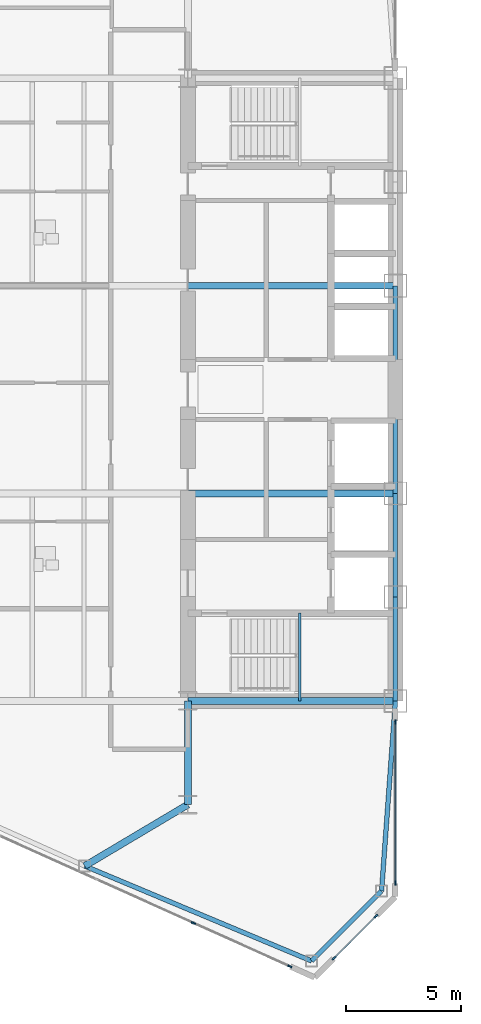
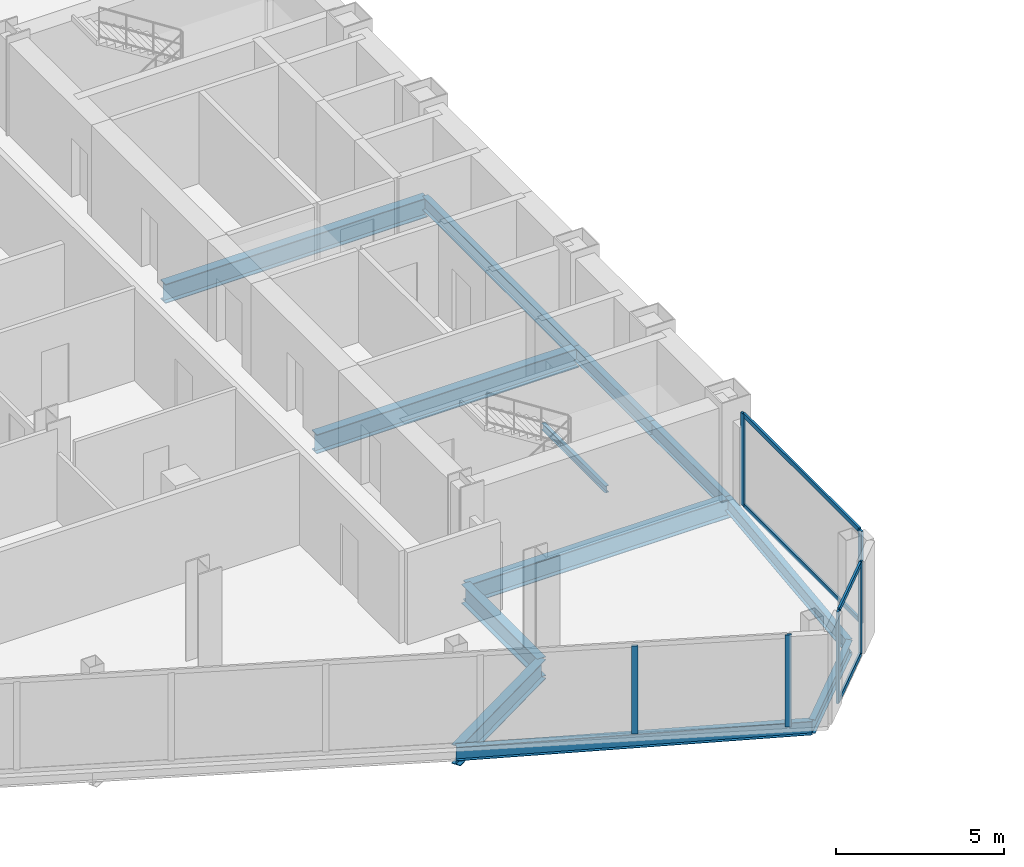
# One storey, part 6 of 27: 12 beams, 10 members, 3 elements without a shape of their own.
"""IFC4 building model written with IfcOpenShell, lengths in metres."""

import ifcopenshell
import ifcopenshell.guid

model = None  # the IFC model being written
_history = None  # IfcOwnerHistory: only IFC2X3 demands one
_inside = {}  # id of a spatial element -> (the spatial element, [elements in it])
_under = {}  # id of a project, library or spatial element -> (it, [spatial elements below it])
_declared = {}  # id of a project -> (the project, [libraries it declares])
_typed = {}  # id of a type object -> (the type object, [elements of that type])
_made_of = {}  # id of a material, layer set ... -> (it, [elements and type objects made of it])


def new_model(schema):
    """Start an empty IFC model of exactly this schema.

    Asked for "IFC4X3", IfcOpenShell would pick the latest addendum, in which some entities
    have other attributes; the version numbers below select the first issue.
    IFC2X3 requires an IfcOwnerHistory on every rooted entity: one is made here for all.
    """
    global model, _history
    if schema == "IFC4X3":
        model = ifcopenshell.file(schema_version=(4, 3, 0, 0))
    else:
        model = ifcopenshell.file(schema=schema)
    _inside.clear()
    _under.clear()
    _declared.clear()
    _typed.clear()
    _made_of.clear()
    _history = None
    if model.schema == "IFC2X3":
        org = make("IfcOrganization", Name="unknown")
        user = make(
            "IfcPersonAndOrganization",
            ThePerson=make("IfcPerson", FamilyName="unknown"),
            TheOrganization=org,
        )
        app = make(
            "IfcApplication",
            ApplicationDeveloper=org,
            Version="unknown",
            ApplicationFullName="unknown",
            ApplicationIdentifier="unknown",
        )
        _history = make(
            "IfcOwnerHistory",
            OwningUser=user,
            OwningApplication=app,
            ChangeAction="ADDED",
            CreationDate=0,
        )
    return model


def make(cls, **values):
    """One entity of the class cls with the attributes given. An attribute that is None is left unset."""
    return model.create_entity(
        cls, **{name: value for name, value in values.items() if value is not None}
    )


def rooted(cls, **values):
    """An entity with a GlobalId (a new one), such as an element, a storey or a relation."""
    return make(cls, GlobalId=ifcopenshell.guid.new(), OwnerHistory=_history, **values)


def si_unit(unit_type, name, prefix=None):
    """IfcSIUnit, for example si_unit("LENGTHUNIT", "METRE", prefix="MILLI")."""
    return make("IfcSIUnit", UnitType=unit_type, Prefix=prefix, Name=name)


def assignment(units):
    """IfcUnitAssignment: the units of a project."""
    return None if units is None else make("IfcUnitAssignment", Units=units)


def point(xyz):
    """IfcCartesianPoint."""
    return None if xyz is None else make("IfcCartesianPoint", Coordinates=xyz)


def direction(xyz):
    """IfcDirection."""
    return None if xyz is None else make("IfcDirection", DirectionRatios=xyz)


def frame(location, z_axis=None, x_axis=None):
    """IfcAxis2Placement3D, a coordinate frame: its origin and axes. An axis left out is left unset."""
    return make(
        "IfcAxis2Placement3D",
        Location=point(location),
        Axis=direction(z_axis),
        RefDirection=direction(x_axis),
    )


def frame_2d(location, x_axis=None):
    """IfcAxis2Placement2D, a coordinate frame in the plane: its origin and x axis."""
    return make(
        "IfcAxis2Placement2D", Location=point(location), RefDirection=direction(x_axis)
    )


def origin():
    """The frame at (0, 0, 0) with its axes left unset."""
    return frame((0.0, 0.0, 0.0))


def origin_2d():
    """The frame at (0, 0) in the plane with its x axis left unset."""
    return frame_2d((0.0, 0.0))


def place(relative_to, where):
    """IfcLocalPlacement: puts the frame where relative to a parent placement (None: the world)."""
    return make(
        "IfcLocalPlacement", PlacementRelTo=relative_to, RelativePlacement=where
    )


def context(
    kind, dimensions, precision=None, world=None, true_north=None, identifier=None
):
    """IfcGeometricRepresentationContext, for example the 3D "Model" context."""
    return make(
        "IfcGeometricRepresentationContext",
        ContextIdentifier=identifier,
        ContextType=kind,
        CoordinateSpaceDimension=dimensions,
        Precision=precision,
        WorldCoordinateSystem=world,
        TrueNorth=true_north,
    )


def subcontext(parent, identifier, kind, view, scale=None):
    """IfcGeometricRepresentationSubContext, for example "Body" below "Model"."""
    return make(
        "IfcGeometricRepresentationSubContext",
        ContextIdentifier=identifier,
        ContextType=kind,
        ParentContext=parent,
        TargetScale=scale,
        TargetView=view,
    )


def project(units=None, contexts=None):
    """IfcProject with its units and contexts."""
    return rooted(
        "IfcProject",
        Name="project",
        RepresentationContexts=contexts,
        UnitsInContext=assignment(units),
    )


def spatial(cls, under=None, at=None, **own):
    """A site, building, storey or space (cls), placed at a placement, below another one or the project."""
    s = rooted(cls, ObjectPlacement=at, **own)
    if under is not None:
        _under.setdefault(under.id(), (under, []))[1].append(s)
    return s


def profile(cls, at=None, kind="AREA", **sizes):
    """A parametric profile (cls). Its sizes go by their IFC names, for example OverallWidth=200.0."""
    return make(cls, ProfileType=kind, Position=at, **sizes)


def rectangle(**sizes):
    """IfcRectangleProfileDef."""
    return profile("IfcRectangleProfileDef", **sizes)


def i_section(**sizes):
    """IfcIShapeProfileDef."""
    return profile("IfcIShapeProfileDef", **sizes)


def extrude(swept, where, along, depth):
    """IfcExtrudedAreaSolid: the profile swept, set in the frame where, extruded along a direction by depth."""
    return make(
        "IfcExtrudedAreaSolid",
        SweptArea=swept,
        Position=where,
        ExtrudedDirection=direction(along),
        Depth=depth,
    )


def shape(context_of_items, identifier, shape_type, items):
    """IfcShapeRepresentation: the items that make up one representation, for example the "Body"."""
    return make(
        "IfcShapeRepresentation",
        ContextOfItems=context_of_items,
        RepresentationIdentifier=identifier,
        RepresentationType=shape_type,
        Items=items,
    )


def source(mapping_origin, context_of_items, identifier, shape_type, items):
    """IfcRepresentationMap: a shape defined once, which mapped items show again and again."""
    return make(
        "IfcRepresentationMap",
        MappingOrigin=mapping_origin,
        MappedRepresentation=shape(context_of_items, identifier, shape_type, items),
    )


def transform(
    local_origin,
    x_axis=None,
    y_axis=None,
    z_axis=None,
    scale=None,
    scale2=None,
    scale3=None,
    uniform=True,
):
    """IfcCartesianTransformationOperator3D, or its non-uniform kind. x_axis, y_axis, z_axis: its Axis1, 2, 3."""
    if uniform:
        return make(
            "IfcCartesianTransformationOperator3D",
            Axis1=direction(x_axis),
            Axis2=direction(y_axis),
            LocalOrigin=point(local_origin),
            Scale=scale,
            Axis3=direction(z_axis),
        )
    return make(
        "IfcCartesianTransformationOperator3DnonUniform",
        Axis1=direction(x_axis),
        Axis2=direction(y_axis),
        LocalOrigin=point(local_origin),
        Scale=scale,
        Axis3=direction(z_axis),
        Scale2=scale2,
        Scale3=scale3,
    )


def mapped(mapping_source, mapping_target):
    """IfcMappedItem: shows the shape of a source again, moved by a transform."""
    return make(
        "IfcMappedItem", MappingSource=mapping_source, MappingTarget=mapping_target
    )


def material(Name=None, Category=None):
    """IfcMaterial."""
    return make("IfcMaterial", Name=Name, Category=Category)


def layer(
    of_material, thickness, ventilated=None, Name=None, Category=None, Priority=None
):
    """IfcMaterialLayer: one layer of a wall or slab, of a material (None: an air gap)."""
    return make(
        "IfcMaterialLayer",
        Material=of_material,
        LayerThickness=thickness,
        IsVentilated=ventilated,
        Name=Name,
        Category=Category,
        Priority=Priority,
    )


def layer_set(layers, Name=None):
    """IfcMaterialLayerSet."""
    return make("IfcMaterialLayerSet", MaterialLayers=layers, LayerSetName=Name)


def material_profile(
    of_material, cross_section, Name=None, Category=None, Priority=None
):
    """IfcMaterialProfile: a cross section and its material."""
    return make(
        "IfcMaterialProfile",
        Name=Name,
        Material=of_material,
        Profile=cross_section,
        Priority=Priority,
        Category=Category,
    )


def profile_set(profiles, Name=None, composite=None):
    """IfcMaterialProfileSet."""
    return make(
        "IfcMaterialProfileSet",
        Name=Name,
        MaterialProfiles=profiles,
        CompositeProfile=composite,
    )


def made_of(thing, what):
    """Note that an element or type object is made of a material, layer set ...; save() writes the relation."""
    if what is not None:
        _made_of.setdefault(what.id(), (what, []))[1].append(thing)
    return thing


def type_object(cls, material=None, **own):
    """A type object (cls), such as IfcWallType, which elements share."""
    return made_of(rooted(cls, **own), material)


def type_shapes(of_type, sources):
    """Give a type object the sources (RepresentationMaps) that its elements show as mapped items."""
    of_type.RepresentationMaps = sources


def element(
    cls,
    number,
    at=None,
    inside=None,
    cuts=None,
    type_object=None,
    material=None,
    context=None,
    identifier="Body",
    shape_type=None,
    held_by="IfcProductDefinitionShape",
    body=None,
    shapes=None,
    **own,
):
    """One element of the class cls, such as IfcWall. Its Tag is "e" and its number.

    at: its placement. inside: the storey or other place that contains it. cuts: it is an
    opening in that element (IfcRelVoidsElement). A single representation is given by context,
    identifier, shape_type and body (its items); several are given by shapes. held_by: the class
    of the entity that holds the representations. save() writes the other relations.
    """
    e = rooted(cls, Tag="e%d" % number, ObjectPlacement=at, **own)
    if body is not None:
        shapes = [shape(context, identifier, shape_type, body)]
    if shapes is not None:
        e.Representation = make(held_by, Representations=shapes)
    if inside is not None:
        _inside.setdefault(inside.id(), (inside, []))[1].append(e)
    if cuts is not None:
        rooted(
            "IfcRelVoidsElement", RelatingBuildingElement=cuts, RelatedOpeningElement=e
        )
    if type_object is not None:
        _typed.setdefault(type_object.id(), (type_object, []))[1].append(e)
    return made_of(e, material)


def aggregate(whole, parts):
    """IfcRelAggregates: a whole, such as a stair, and the parts it consists of."""
    return rooted("IfcRelAggregates", RelatingObject=whole, RelatedObjects=parts)


def save(model, path):
    """Write the relations noted so far, then the file.

    IfcRelAggregates (storeys below a building ...), IfcRelContainedInSpatialStructure (elements
    in a storey), IfcRelDefinesByType, IfcRelAssociatesMaterial and IfcRelDeclares: one each for
    every whole, place, type object, material and project.
    """
    for whole, parts in _under.values():
        aggregate(whole, parts)
    for where, things in _inside.values():
        rooted(
            "IfcRelContainedInSpatialStructure",
            RelatedElements=things,
            RelatingStructure=where,
        )
    for kind, things in _typed.values():
        rooted("IfcRelDefinesByType", RelatedObjects=things, RelatingType=kind)
    for what, things in _made_of.values():
        rooted("IfcRelAssociatesMaterial", RelatedObjects=things, RelatingMaterial=what)
    for by, libraries in _declared.values():
        rooted("IfcRelDeclares", RelatingContext=by, RelatedDefinitions=libraries)
    model.write(path)


model = new_model("IFC4")

# Units and contexts
model_context = context("Model", 3, precision=1e-05, world=origin(), true_north=direction((0.0, 1.0)))
body_context = subcontext(model_context, "Body", "Model", "MODEL_VIEW")
ifc_project = project(units=[si_unit("LENGTHUNIT", "METRE"), si_unit("AREAUNIT", "SQUARE_METRE"), si_unit("VOLUMEUNIT", "CUBIC_METRE"), si_unit("PLANEANGLEUNIT", "RADIAN"), si_unit("MASSUNIT", "GRAM", prefix="KILO")], contexts=[model_context])

# Site, building, storey
site_placement = place(None, origin())
site = spatial("IfcSite", under=ifc_project, at=site_placement, CompositionType="ELEMENT")
building_placement = place(site_placement, origin())
building = spatial("IfcBuilding", under=site, at=building_placement, Name="Seokmaru Belvedere", CompositionType="ELEMENT")
storey_placement = place(building_placement, frame((0.0, 0.0, 83.699951171875)))
storey = spatial("IfcBuildingStorey", under=building, at=storey_placement, Name="L22", CompositionType="ELEMENT", Elevation=83.699951171875)

# Beams
ifc_material_1 = material(Name="Steel SM355 (355 MPa)", Category="steel")
ifc_material_profile_1 = material_profile(ifc_material_1, i_section(OverallWidth=0.199951171875, OverallDepth=0.5, WebThickness=0.010009765625, FlangeThickness=0.01611328125, at=origin_2d()), Name="H-500x200x10x16")
ifc_profile_set_1 = profile_set([ifc_material_profile_1], Name="Steel SM355 (355 MPa)")
beam_type_1 = type_object("IfcBeamType", Name="Perimeter Spandrel Beam H-500", PredefinedType="SPANDREL", material=ifc_profile_set_1)
shared_shape_1 = source(origin(), body_context, "Body", "SweptSolid", [
    extrude(i_section(OverallWidth=0.199951171875, OverallDepth=0.5, WebThickness=0.010009765625, FlangeThickness=0.01611328125, at=origin_2d()), origin(), (0.0, 0.0, 1.0), 4.5),
])
for number, where, z_axis, x_axis, name in (
    (1, (-27.5, -13.5, -0.469970703125), (0.0, 1.0, 0.0), (-1.0, 0.0, 0.0), "L22 W Portal Spine Spandrel 1"),
    (2, (-27.5, -9.0, -0.469970703125), (0.0, 1.0, 0.0), (-1.0, 0.0, 0.0), "L22 W Portal Spine Spandrel 2"),
):
    element("IfcBeam", number, at=place(storey_placement, frame(where, z_axis=z_axis, x_axis=x_axis)), inside=storey, type_object=beam_type_1, Name=name, PredefinedType="SPANDREL", context=body_context, shape_type="MappedRepresentation", body=[
        mapped(shared_shape_1, transform((0.0, 0.0, 0.0), scale=1.0)),
    ])
shared_shape_2 = source(origin(), body_context, "Body", "SweptSolid", [
    extrude(i_section(OverallWidth=0.199951171875, OverallDepth=0.5, WebThickness=0.010009765625, FlangeThickness=0.01611328125, at=origin_2d()), origin(), (0.0, 0.0, 1.0), 9.0),
])
beam_1_placement = place(storey_placement, frame((-27.5, -4.5, -0.469970703125), z_axis=(0.0, 1.0, 0.0), x_axis=(-1.0, 0.0, 0.0)))
element("IfcBeam", 3, at=beam_1_placement, inside=storey, type_object=beam_type_1, Name="L22 W Portal Spine Spandrel 3", PredefinedType="SPANDREL", context=body_context, shape_type="MappedRepresentation", body=[
    mapped(shared_shape_2, transform((0.0, 0.0, 0.0), scale=1.0)),
])
ifc_material_profile_2 = material_profile(ifc_material_1, i_section(OverallWidth=0.300048828125, OverallDepth=0.699951171875, WebThickness=0.012939453125, FlangeThickness=0.02392578125, at=origin_2d()), Name="H-700x300x13x24")
ifc_profile_set_2 = profile_set([ifc_material_profile_2], Name="Steel SM355 (355 MPa)")
beam_type_2 = type_object("IfcBeamType", Name="Primary Floor Girder H-700", PredefinedType="BEAM", material=ifc_profile_set_2)
shared_shape_3 = source(origin(), body_context, "Body", "SweptSolid", [
    extrude(i_section(OverallWidth=0.300048828125, OverallDepth=0.699951171875, WebThickness=0.012939453125, FlangeThickness=0.02392578125, at=origin_2d()), origin(), (0.0, 0.0, 1.0), 4.5),
])
beam_2_placement = place(storey_placement, frame((-36.5, -18.0, -0.570068359375), z_axis=(0.0, 1.0, 0.0), x_axis=(-1.0, 0.0, 0.0)))
element("IfcBeam", 4, at=beam_2_placement, inside=storey, type_object=beam_type_2, Name="L22 W Core Shoulder Girder S", PredefinedType="BEAM", context=body_context, shape_type="MappedRepresentation", body=[
    mapped(shared_shape_3, transform((0.0, 0.0, 0.0), scale=1.0)),
])
shared_shape_4 = source(origin(), body_context, "Body", "SweptSolid", [
    extrude(i_section(OverallWidth=0.300048828125, OverallDepth=0.699951171875, WebThickness=0.012939453125, FlangeThickness=0.02392578125, at=origin_2d()), origin(), (0.0, 0.0, 1.0), 9.0),
])
for number, where, z_axis, x_axis, name in (
    (5, (-36.5, -13.5, -0.570068359375), (1.0, 0.0, 0.0), (0.0, 1.0, 0.0), "L22 W Core Tie Girder 1"),
    (6, (-36.5, -4.5, -0.570068359375), (1.0, 0.0, 0.0), (0.0, 1.0, 0.0), "L22 W Core Tie Girder 2"),
    (7, (-36.5, 4.5, -0.570068359375), (1.0, 0.0, 0.0), (0.0, 1.0, 0.0), "L22 W Core Tie Girder 3"),
):
    element("IfcBeam", number, at=place(storey_placement, frame(where, z_axis=z_axis, x_axis=x_axis)), inside=storey, type_object=beam_type_2, Name=name, PredefinedType="BEAM", context=body_context, shape_type="MappedRepresentation", body=[
        mapped(shared_shape_4, transform((0.0, 0.0, 0.0), scale=1.0)),
    ])
shared_shape_5 = source(origin(), body_context, "Body", "SweptSolid", [
    extrude(i_section(OverallWidth=0.199951171875, OverallDepth=0.5, WebThickness=0.010009765625, FlangeThickness=0.01611328125, at=origin_2d()), origin(), (0.0, 0.0, 1.0), 10.66943359375),
])
beam_3_placement = place(storey_placement, frame((-31.13134765625, -24.782958984375, -0.469970703125), z_axis=(-0.922375393128, 0.386294750355, 0.0), x_axis=(-0.386294750355, -0.922375393128, 0.0)))
element("IfcBeam", 8, at=beam_3_placement, inside=storey, type_object=beam_type_1, Name="L22 W Faceted Flank Spandrel S-1", PredefinedType="SPANDREL", context=body_context, shape_type="MappedRepresentation", body=[
    mapped(shared_shape_5, transform((0.0, 0.0, 0.0), scale=1.0)),
])
shared_shape_6 = source(origin(), body_context, "Body", "SweptSolid", [
    extrude(i_section(OverallWidth=0.199951171875, OverallDepth=0.5, WebThickness=0.010009765625, FlangeThickness=0.01611328125, at=origin_2d()), origin(), (0.0, 0.0, 1.0), 4.287109375),
])
beam_4_placement = place(storey_placement, frame((-31.13134765625, -24.782958984375, -0.469970703125), z_axis=(0.707078306132, 0.707135255094, 0.0), x_axis=(-0.707135255094, 0.707078306132, 0.0)))
element("IfcBeam", 9, at=beam_4_placement, inside=storey, type_object=beam_type_1, Name="L22 W Shoulder Chamfer Spandrel S", PredefinedType="SPANDREL", context=body_context, shape_type="MappedRepresentation", body=[
    mapped(shared_shape_6, transform((0.0, 0.0, 0.0), scale=1.0)),
])
shared_shape_7 = source(origin(), body_context, "Body", "SweptSolid", [
    extrude(i_section(OverallWidth=0.199951171875, OverallDepth=0.5, WebThickness=0.010009765625, FlangeThickness=0.01611328125, at=origin_2d()), origin(), (0.0, 0.0, 1.0), 8.273193359375),
])
type_shapes(beam_type_1, [shared_shape_1, shared_shape_2, shared_shape_5, shared_shape_6, shared_shape_7])
beam_5_placement = place(storey_placement, frame((-28.10009765625, -21.75146484375, -0.469970703125), z_axis=(0.072534628348, 0.99736589459, 0.0), x_axis=(-0.99736589459, 0.072534628348, 0.0)))
element("IfcBeam", 10, at=beam_5_placement, inside=storey, type_object=beam_type_1, Name="L22 W Shoulder Spine Spandrel S", PredefinedType="SPANDREL", context=body_context, shape_type="MappedRepresentation", body=[
    mapped(shared_shape_7, transform((0.0, 0.0, 0.0), scale=1.0)),
])
shared_shape_8 = source(origin(), body_context, "Body", "SweptSolid", [
    extrude(i_section(OverallWidth=0.300048828125, OverallDepth=0.699951171875, WebThickness=0.012939453125, FlangeThickness=0.02392578125, at=origin_2d()), origin(), (0.0, 0.0, 1.0), 5.20458984375),
])
type_shapes(beam_type_2, [shared_shape_3, shared_shape_4, shared_shape_8])
beam_6_placement = place(storey_placement, frame((-40.97265625, -20.661376953125, -0.570068359375), z_axis=(0.859370434188, 0.511353553662, 0.0), x_axis=(-0.511353553662, 0.859370434188, 0.0)))
element("IfcBeam", 11, at=beam_6_placement, inside=storey, type_object=beam_type_2, Name="L22 W Flank Radial Floor Girder S-1", PredefinedType="BEAM", context=body_context, shape_type="MappedRepresentation", body=[
    mapped(shared_shape_8, transform((0.0, 0.0, 0.0), scale=1.0)),
])

# Curtain wall, members
ifc_material_2 = material(Name="Bronze Triple Insulating Glass", Category="glass")
ifc_layer = layer(ifc_material_2, 0.195068359375)
ifc_layer_set = layer_set([ifc_layer], Name="Bronze Triple Insulating Glass")
curtain_wall_type = type_object("IfcCurtainWallType", Name="Lower-Mid Tapered Curtain Wall System CW-3", PredefinedType="NOTDEFINED", material=ifc_layer_set)
curtain_wall_1_placement = place(storey_placement, origin())
curtain_wall_1 = element("IfcCurtainWall", 12, at=curtain_wall_1_placement, inside=storey, type_object=curtain_wall_type, Name="L22 Curtain Wall WSP_1", PredefinedType="NOTDEFINED")
ifc_material_3 = material(Name="Anodised Bronze Aluminium", Category="aluminium")
ifc_material_profile_3 = material_profile(ifc_material_3, rectangle(XDim=0.070068359375, YDim=0.1650390625, at=origin_2d()), Name="CW-T-70x165")
ifc_profile_set_3 = profile_set([ifc_material_profile_3], Name="Anodised Bronze Aluminium")
member_type_1 = type_object("IfcMemberType", Name="Bronze Unitised Transom 70x165", PredefinedType="USERDEFINED", material=ifc_profile_set_3)
shared_shape_9 = source(origin(), body_context, "Body", "SweptSolid", [
    extrude(rectangle(XDim=0.070068359375, YDim=0.1650390625, at=origin_2d()), origin(), (0.0, 0.0, 1.0), 6.91015625),
])
member_1_placement = place(storey_placement, frame((-27.5, -21.360107421875, 0.03515625), z_axis=(0.0, 1.0, 0.0), x_axis=(-1.0, 0.0, 0.0)))
member_1 = element("IfcMember", 13, at=member_1_placement, type_object=member_type_1, Name="CW:L22:WSP_1 Continuous Transom 1", ObjectType="TRANSOM", PredefinedType="USERDEFINED", context=body_context, shape_type="MappedRepresentation", body=[
    mapped(shared_shape_9, transform((0.0, 0.0, 0.0), scale=1.0)),
])
member_2_placement = place(storey_placement, frame((-27.5, -21.360107421875, 3.304931640625), z_axis=(0.0, 1.0, 0.0), x_axis=(-1.0, 0.0, 0.0)))
member_2 = element("IfcMember", 14, at=member_2_placement, type_object=member_type_1, Name="CW:L22:WSP_1 Continuous Transom 2", ObjectType="TRANSOM", PredefinedType="USERDEFINED", context=body_context, shape_type="MappedRepresentation", body=[
    mapped(shared_shape_9, transform((0.0, 0.0, 0.0), scale=1.0)),
])

curtain_wall_2_placement = place(storey_placement, origin())
curtain_wall_2 = element("IfcCurtainWall", 15, at=curtain_wall_2_placement, inside=storey, type_object=curtain_wall_type, Name="L22 Curtain Wall WF6", PredefinedType="NOTDEFINED")
shared_shape_10 = source(origin(), body_context, "Body", "SweptSolid", [
    extrude(rectangle(XDim=0.070068359375, YDim=0.1650390625, at=origin_2d()), origin(), (0.0, 0.0, 1.0), 2.509521484375),
])
type_shapes(member_type_1, [shared_shape_9, shared_shape_10])
member_3_placement = place(storey_placement, frame((-30.13720703125, -24.63720703125, 0.03515625), z_axis=(0.707106781187, 0.707106781187, 0.0), x_axis=(-0.707106781187, 0.707106781187, 0.0)))
member_3 = element("IfcMember", 16, at=member_3_placement, type_object=member_type_1, Name="CW:L22:WF6 Continuous Transom 1", ObjectType="TRANSOM", PredefinedType="USERDEFINED", context=body_context, shape_type="MappedRepresentation", body=[
    mapped(shared_shape_10, transform((0.0, 0.0, 0.0), scale=1.0)),
])
member_4_placement = place(storey_placement, frame((-30.13720703125, -24.63720703125, 3.304931640625), z_axis=(0.707106781187, 0.707106781187, 0.0), x_axis=(-0.707106781187, 0.707106781187, 0.0)))
member_4 = element("IfcMember", 17, at=member_4_placement, type_object=member_type_1, Name="CW:L22:WF6 Continuous Transom 2", ObjectType="TRANSOM", PredefinedType="USERDEFINED", context=body_context, shape_type="MappedRepresentation", body=[
    mapped(shared_shape_10, transform((0.0, 0.0, 0.0), scale=1.0)),
])

# Member
ifc_material_profile_4 = material_profile(ifc_material_3, rectangle(XDim=0.070068359375, YDim=0.195068359375, at=origin_2d()), Name="CW-M-70x195")
ifc_profile_set_4 = profile_set([ifc_material_profile_4], Name="Anodised Bronze Aluminium")
member_type_2 = type_object("IfcMemberType", Name="Bronze Unitised Mullion 70x195", PredefinedType="MULLION", material=ifc_profile_set_4)
shared_shape_11 = source(origin(), body_context, "Body", "SweptSolid", [
    extrude(rectangle(XDim=0.070068359375, YDim=0.195068359375, at=origin_2d()), origin(), (0.0, 0.0, 1.0), 3.340087890625),
])
member_5_placement = place(storey_placement, frame((-27.5, -21.39501953125, 0.0), z_axis=(0.0, 0.0, 1.0), x_axis=(-1.0, 0.0, 0.0)))
member_5 = element("IfcMember", 18, at=member_5_placement, type_object=member_type_2, Name="CW:L22:WSP_1 Mullion 1", PredefinedType="MULLION", context=body_context, shape_type="MappedRepresentation", body=[
    mapped(shared_shape_11, transform((0.0, 0.0, 0.0), scale=1.0)),
])

member_6_placement = place(storey_placement, frame((-27.5, -14.4150390625, 0.0), z_axis=(0.0, 0.0, 1.0), x_axis=(-1.0, 0.0, 0.0)))
member_6 = element("IfcMember", 19, at=member_6_placement, type_object=member_type_2, Name="CW:L22:WSP_1 Mullion 2", PredefinedType="MULLION", context=body_context, shape_type="MappedRepresentation", body=[
    mapped(shared_shape_11, transform((0.0, 0.0, 0.0), scale=1.0)),
])

aggregate(curtain_wall_1, [member_5, member_6, member_1, member_2])

# Curtain wall, member
curtain_wall_3_placement = place(storey_placement, origin())
curtain_wall_3 = element("IfcCurtainWall", 20, at=curtain_wall_3_placement, inside=storey, type_object=curtain_wall_type, Name="L22 Curtain Wall WF5", PredefinedType="NOTDEFINED")
member_7_placement = place(storey_placement, frame((-32.08056640625, -25.013671875, 0.0), z_axis=(0.0, 0.0, 1.0), x_axis=(0.41036554765, 0.91192111353, 0.0)))
member_7 = element("IfcMember", 21, at=member_7_placement, type_object=member_type_2, Name="CW:L22:WF5 Mullion 10", PredefinedType="MULLION", context=body_context, shape_type="MappedRepresentation", body=[
    mapped(shared_shape_11, transform((0.0, 0.0, 0.0), scale=1.0)),
])

# Member
member_8_placement = place(storey_placement, frame((-30.162109375, -24.662109375, 0.0), z_axis=(0.0, 0.0, 1.0), x_axis=(-0.707106781187, 0.707106781187, 0.0)))
member_8 = element("IfcMember", 22, at=member_8_placement, type_object=member_type_2, Name="CW:L22:WF6 Mullion 1", PredefinedType="MULLION", context=body_context, shape_type="MappedRepresentation", body=[
    mapped(shared_shape_11, transform((0.0, 0.0, 0.0), scale=1.0)),
])

member_9_placement = place(storey_placement, frame((-28.337890625, -22.837890625, 0.0), z_axis=(0.0, 0.0, 1.0), x_axis=(-0.707106781187, 0.707106781187, 0.0)))
member_9 = element("IfcMember", 23, at=member_9_placement, type_object=member_type_2, Name="CW:L22:WF6 Mullion 2", PredefinedType="MULLION", context=body_context, shape_type="MappedRepresentation", body=[
    mapped(shared_shape_11, transform((0.0, 0.0, 0.0), scale=1.0)),
])

aggregate(curtain_wall_2, [member_8, member_9, member_3, member_4])

shared_shape_12 = source(origin(), body_context, "Body", "SweptSolid", [
    extrude(rectangle(XDim=0.070068359375, YDim=0.195068359375, at=origin_2d()), origin(), (0.0, 0.0, 1.0), 3.199951171875),
])
type_shapes(member_type_2, [shared_shape_11, shared_shape_12])
member_10_placement = place(storey_placement, frame((-36.260009765625, -23.133056640625, 0.070068359375), z_axis=(0.0, 0.0, 1.0), x_axis=(0.41036554765, 0.91192111353, 0.0)))
member_10 = element("IfcMember", 24, at=member_10_placement, type_object=member_type_2, Name="CW:L22:WF5 Mullion 9", PredefinedType="MULLION", context=body_context, shape_type="MappedRepresentation", body=[
    mapped(shared_shape_12, transform((0.0, 0.0, 0.0), scale=1.0)),
])

aggregate(curtain_wall_3, [member_10, member_7])

# Beam
ifc_material_profile_5 = material_profile(ifc_material_1, i_section(OverallWidth=0.125, OverallDepth=0.25, WebThickness=0.006103515625, FlangeThickness=0.009033203125, at=origin_2d()), Name="H-250x125x6x9")
ifc_profile_set_5 = profile_set([ifc_material_profile_5], Name="Steel SM355 (355 MPa)")
beam_type_3 = type_object("IfcBeamType", Name="Stair Mid-Landing Support Beam H-250", PredefinedType="JOIST", material=ifc_profile_set_5)
shared_shape_13 = source(origin(), body_context, "Body", "SweptSolid", [
    extrude(i_section(OverallWidth=0.125, OverallDepth=0.25, WebThickness=0.006103515625, FlangeThickness=0.009033203125, at=origin_2d()), origin(), (0.0, 0.0, 1.0), 3.800048828125),
])
type_shapes(beam_type_3, [shared_shape_13])
beam_7_placement = place(storey_placement, frame((-31.64990234375, -13.5, 1.47509765625), z_axis=(0.0, 1.0, 0.0), x_axis=(-1.0, 0.0, 0.0)))
element("IfcBeam", 25, at=beam_7_placement, inside=storey, type_object=beam_type_3, Name="L22 Stair ST-W1 Mid-Landing Support Beam 1", PredefinedType="JOIST", context=body_context, shape_type="MappedRepresentation", body=[
    mapped(shared_shape_13, transform((0.0, 0.0, 0.0), scale=1.0)),
])

save(model, "model.ifc")
